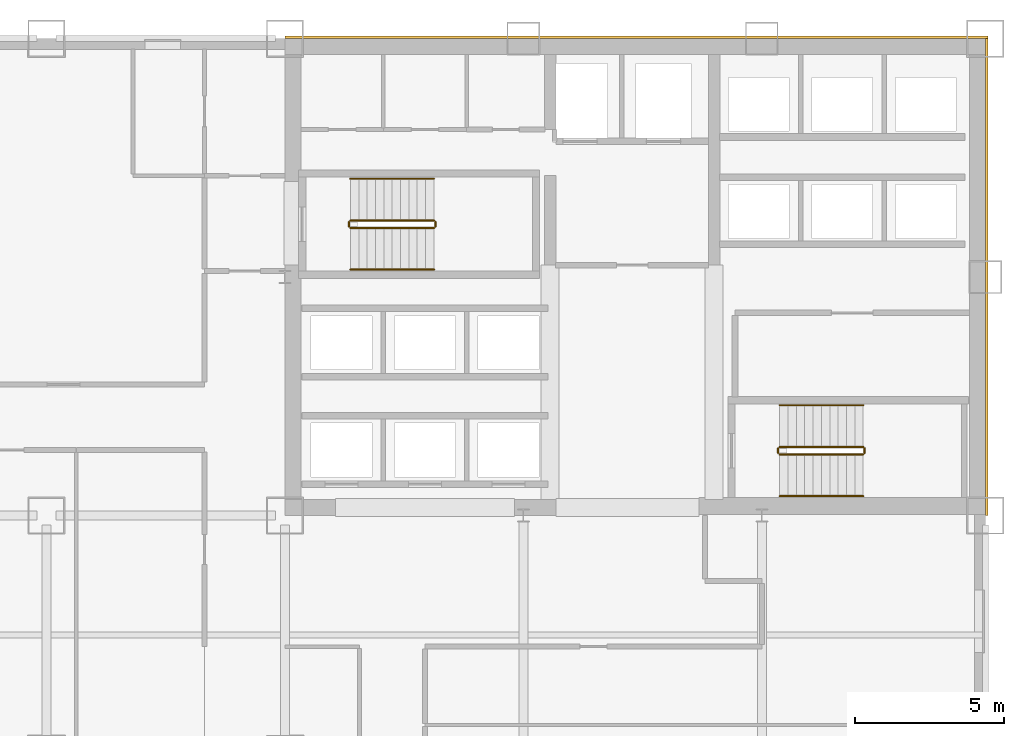
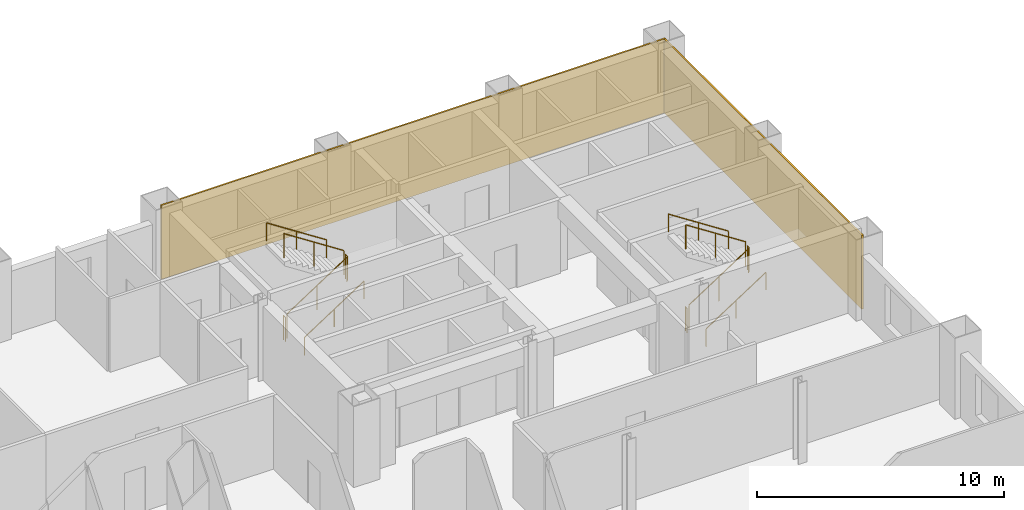
# One storey, part 9 of 9: 12 railings, 2 coverings.
"""IFC4 building model written with IfcOpenShell, lengths in metres."""

import ifcopenshell
import ifcopenshell.guid

model = None  # the IFC model being written
_history = None  # IfcOwnerHistory: only IFC2X3 demands one
_inside = {}  # id of a spatial element -> (the spatial element, [elements in it])
_under = {}  # id of a project, library or spatial element -> (it, [spatial elements below it])
_declared = {}  # id of a project -> (the project, [libraries it declares])
_typed = {}  # id of a type object -> (the type object, [elements of that type])
_made_of = {}  # id of a material, layer set ... -> (it, [elements and type objects made of it])


def new_model(schema):
    """Start an empty IFC model of exactly this schema.

    Asked for "IFC4X3", IfcOpenShell would pick the latest addendum, in which some entities
    have other attributes; the version numbers below select the first issue.
    IFC2X3 requires an IfcOwnerHistory on every rooted entity: one is made here for all.
    """
    global model, _history
    if schema == "IFC4X3":
        model = ifcopenshell.file(schema_version=(4, 3, 0, 0))
    else:
        model = ifcopenshell.file(schema=schema)
    _inside.clear()
    _under.clear()
    _declared.clear()
    _typed.clear()
    _made_of.clear()
    _history = None
    if model.schema == "IFC2X3":
        org = make("IfcOrganization", Name="unknown")
        user = make(
            "IfcPersonAndOrganization",
            ThePerson=make("IfcPerson", FamilyName="unknown"),
            TheOrganization=org,
        )
        app = make(
            "IfcApplication",
            ApplicationDeveloper=org,
            Version="unknown",
            ApplicationFullName="unknown",
            ApplicationIdentifier="unknown",
        )
        _history = make(
            "IfcOwnerHistory",
            OwningUser=user,
            OwningApplication=app,
            ChangeAction="ADDED",
            CreationDate=0,
        )
    return model


def make(cls, **values):
    """One entity of the class cls with the attributes given. An attribute that is None is left unset."""
    return model.create_entity(
        cls, **{name: value for name, value in values.items() if value is not None}
    )


def rooted(cls, **values):
    """An entity with a GlobalId (a new one), such as an element, a storey or a relation."""
    return make(cls, GlobalId=ifcopenshell.guid.new(), OwnerHistory=_history, **values)


def si_unit(unit_type, name, prefix=None):
    """IfcSIUnit, for example si_unit("LENGTHUNIT", "METRE", prefix="MILLI")."""
    return make("IfcSIUnit", UnitType=unit_type, Prefix=prefix, Name=name)


def assignment(units):
    """IfcUnitAssignment: the units of a project."""
    return None if units is None else make("IfcUnitAssignment", Units=units)


def point(xyz):
    """IfcCartesianPoint."""
    return None if xyz is None else make("IfcCartesianPoint", Coordinates=xyz)


def direction(xyz):
    """IfcDirection."""
    return None if xyz is None else make("IfcDirection", DirectionRatios=xyz)


def frame(location, z_axis=None, x_axis=None):
    """IfcAxis2Placement3D, a coordinate frame: its origin and axes. An axis left out is left unset."""
    return make(
        "IfcAxis2Placement3D",
        Location=point(location),
        Axis=direction(z_axis),
        RefDirection=direction(x_axis),
    )


def frame_2d(location, x_axis=None):
    """IfcAxis2Placement2D, a coordinate frame in the plane: its origin and x axis."""
    return make(
        "IfcAxis2Placement2D", Location=point(location), RefDirection=direction(x_axis)
    )


def origin():
    """The frame at (0, 0, 0) with its axes left unset."""
    return frame((0.0, 0.0, 0.0))


def origin_2d():
    """The frame at (0, 0) in the plane with its x axis left unset."""
    return frame_2d((0.0, 0.0))


def place(relative_to, where):
    """IfcLocalPlacement: puts the frame where relative to a parent placement (None: the world)."""
    return make(
        "IfcLocalPlacement", PlacementRelTo=relative_to, RelativePlacement=where
    )


def context(
    kind, dimensions, precision=None, world=None, true_north=None, identifier=None
):
    """IfcGeometricRepresentationContext, for example the 3D "Model" context."""
    return make(
        "IfcGeometricRepresentationContext",
        ContextIdentifier=identifier,
        ContextType=kind,
        CoordinateSpaceDimension=dimensions,
        Precision=precision,
        WorldCoordinateSystem=world,
        TrueNorth=true_north,
    )


def subcontext(parent, identifier, kind, view, scale=None):
    """IfcGeometricRepresentationSubContext, for example "Body" below "Model"."""
    return make(
        "IfcGeometricRepresentationSubContext",
        ContextIdentifier=identifier,
        ContextType=kind,
        ParentContext=parent,
        TargetScale=scale,
        TargetView=view,
    )


def project(units=None, contexts=None):
    """IfcProject with its units and contexts."""
    return rooted(
        "IfcProject",
        Name="project",
        RepresentationContexts=contexts,
        UnitsInContext=assignment(units),
    )


def spatial(cls, under=None, at=None, **own):
    """A site, building, storey or space (cls), placed at a placement, below another one or the project."""
    s = rooted(cls, ObjectPlacement=at, **own)
    if under is not None:
        _under.setdefault(under.id(), (under, []))[1].append(s)
    return s


def profile(cls, at=None, kind="AREA", **sizes):
    """A parametric profile (cls). Its sizes go by their IFC names, for example OverallWidth=200.0."""
    return make(cls, ProfileType=kind, Position=at, **sizes)


def rectangle(**sizes):
    """IfcRectangleProfileDef."""
    return profile("IfcRectangleProfileDef", **sizes)


def circle(**sizes):
    """IfcCircleProfileDef."""
    return profile("IfcCircleProfileDef", **sizes)


def extrude(swept, where, along, depth):
    """IfcExtrudedAreaSolid: the profile swept, set in the frame where, extruded along a direction by depth."""
    return make(
        "IfcExtrudedAreaSolid",
        SweptArea=swept,
        Position=where,
        ExtrudedDirection=direction(along),
        Depth=depth,
    )


def shape(context_of_items, identifier, shape_type, items):
    """IfcShapeRepresentation: the items that make up one representation, for example the "Body"."""
    return make(
        "IfcShapeRepresentation",
        ContextOfItems=context_of_items,
        RepresentationIdentifier=identifier,
        RepresentationType=shape_type,
        Items=items,
    )


def material(Name=None, Category=None):
    """IfcMaterial."""
    return make("IfcMaterial", Name=Name, Category=Category)


def layer(
    of_material, thickness, ventilated=None, Name=None, Category=None, Priority=None
):
    """IfcMaterialLayer: one layer of a wall or slab, of a material (None: an air gap)."""
    return make(
        "IfcMaterialLayer",
        Material=of_material,
        LayerThickness=thickness,
        IsVentilated=ventilated,
        Name=Name,
        Category=Category,
        Priority=Priority,
    )


def layer_set(layers, Name=None):
    """IfcMaterialLayerSet."""
    return make("IfcMaterialLayerSet", MaterialLayers=layers, LayerSetName=Name)


def made_of(thing, what):
    """Note that an element or type object is made of a material, layer set ...; save() writes the relation."""
    if what is not None:
        _made_of.setdefault(what.id(), (what, []))[1].append(thing)
    return thing


def type_object(cls, material=None, **own):
    """A type object (cls), such as IfcWallType, which elements share."""
    return made_of(rooted(cls, **own), material)


def element(
    cls,
    number,
    at=None,
    inside=None,
    cuts=None,
    type_object=None,
    material=None,
    context=None,
    identifier="Body",
    shape_type=None,
    held_by="IfcProductDefinitionShape",
    body=None,
    shapes=None,
    **own,
):
    """One element of the class cls, such as IfcWall. Its Tag is "e" and its number.

    at: its placement. inside: the storey or other place that contains it. cuts: it is an
    opening in that element (IfcRelVoidsElement). A single representation is given by context,
    identifier, shape_type and body (its items); several are given by shapes. held_by: the class
    of the entity that holds the representations. save() writes the other relations.
    """
    e = rooted(cls, Tag="e%d" % number, ObjectPlacement=at, **own)
    if body is not None:
        shapes = [shape(context, identifier, shape_type, body)]
    if shapes is not None:
        e.Representation = make(held_by, Representations=shapes)
    if inside is not None:
        _inside.setdefault(inside.id(), (inside, []))[1].append(e)
    if cuts is not None:
        rooted(
            "IfcRelVoidsElement", RelatingBuildingElement=cuts, RelatedOpeningElement=e
        )
    if type_object is not None:
        _typed.setdefault(type_object.id(), (type_object, []))[1].append(e)
    return made_of(e, material)


def aggregate(whole, parts):
    """IfcRelAggregates: a whole, such as a stair, and the parts it consists of."""
    return rooted("IfcRelAggregates", RelatingObject=whole, RelatedObjects=parts)


def save(model, path):
    """Write the relations noted so far, then the file.

    IfcRelAggregates (storeys below a building ...), IfcRelContainedInSpatialStructure (elements
    in a storey), IfcRelDefinesByType, IfcRelAssociatesMaterial and IfcRelDeclares: one each for
    every whole, place, type object, material and project.
    """
    for whole, parts in _under.values():
        aggregate(whole, parts)
    for where, things in _inside.values():
        rooted(
            "IfcRelContainedInSpatialStructure",
            RelatedElements=things,
            RelatingStructure=where,
        )
    for kind, things in _typed.values():
        rooted("IfcRelDefinesByType", RelatedObjects=things, RelatingType=kind)
    for what, things in _made_of.values():
        rooted("IfcRelAssociatesMaterial", RelatedObjects=things, RelatingMaterial=what)
    for by, libraries in _declared.values():
        rooted("IfcRelDeclares", RelatingContext=by, RelatedDefinitions=libraries)
    model.write(path)


model = new_model("IFC4")

# Units and contexts
model_context = context("Model", 3, precision=1e-05, world=origin(), true_north=direction((0.0, 1.0)))
body_context = subcontext(model_context, "Body", "Model", "MODEL_VIEW")
ifc_project = project(units=[si_unit("LENGTHUNIT", "METRE"), si_unit("AREAUNIT", "SQUARE_METRE"), si_unit("VOLUMEUNIT", "CUBIC_METRE"), si_unit("PLANEANGLEUNIT", "RADIAN"), si_unit("MASSUNIT", "GRAM", prefix="KILO")], contexts=[model_context])

# Site, building, storey
site_placement = place(None, origin())
site = spatial("IfcSite", under=ifc_project, at=site_placement, CompositionType="ELEMENT")
building_placement = place(site_placement, origin())
building = spatial("IfcBuilding", under=site, at=building_placement, Name="Qianrong Seaharbour Tower", CompositionType="ELEMENT")
storey_placement = place(building_placement, frame((0.0, 0.0, 104.199951171875)))
storey = spatial("IfcBuildingStorey", under=building, at=storey_placement, Name="L25", CompositionType="ELEMENT", Elevation=104.199951171875)

# Coverings
ifc_material_1 = material(Name="Unitised red brick cladding on Precast concrete C45/55", Category="masonry")
ifc_layer = layer(ifc_material_1, 0.080078125)
ifc_layer_set = layer_set([ifc_layer], Name="Unitised red brick cladding on Precast concrete C45/55")
covering_type = type_object("IfcCoveringType", Name="COV-CLAD-RED-BRICK-80", PredefinedType="CLADDING", material=ifc_layer_set)
covering_1_placement = place(storey_placement, frame((52.2900390625, 52.0400390625, 0.0), z_axis=(0.0, 0.0, 1.0), x_axis=(1.0, 0.0, 0.0)))
element("IfcCovering", 1, at=covering_1_placement, inside=storey, type_object=covering_type, Name="L25 North Core Brick Veneer Cladding", PredefinedType="CLADDING", context=body_context, shape_type="SweptSolid", body=[
    extrude(rectangle(XDim=23.580078125, YDim=0.080078125, at=origin_2d()), origin(), (0.0, 0.0, 1.0), 3.64990234375),
])
covering_2_placement = place(storey_placement, frame((64.0400390625, 44.0, 0.0), z_axis=(0.0, 0.0, 1.0), x_axis=(1.0, 0.0, 0.0)))
element("IfcCovering", 2, at=covering_2_placement, inside=storey, type_object=covering_type, Name="L25 East Core Brick Veneer Cladding", PredefinedType="CLADDING", context=body_context, shape_type="SweptSolid", body=[
    extrude(rectangle(XDim=0.080078125, YDim=16.0, at=origin_2d()), origin(), (0.0, 0.0, 1.0), 3.64990234375),
])

# Railings
ifc_material_2 = material(Name="Galvanized painted steel SN400B stair guard", Category="steel")
railing_type_1 = type_object("IfcRailingType", Name="RAIL-STAIR-GUARD-1220", PredefinedType="GUARDRAIL", material=ifc_material_2)
railing_1_placement = place(storey_placement, frame((42.699951171875, 45.64990234375, 0.181884765625)))
element("IfcRailing", 3, at=railing_1_placement, inside=storey, type_object=railing_type_1, Name="L25 ST-1 stair guard 1", PredefinedType="GUARDRAIL", context=body_context, shape_type="SweptSolid", body=[
    extrude(circle(Radius=0.02392578125, at=origin_2d()), frame((0.0, 0.0, 1.19580078125), z_axis=(0.838705829183, 0.0, 0.544584733623), x_axis=(0.0, 1.0, 0.0)), (0.0, 0.0, 1.0), 3.338623046875),
    extrude(circle(Radius=0.02099609375, at=origin_2d()), origin(), (0.0, 0.0, 1.0), 1.171875),
    extrude(circle(Radius=0.02099609375, at=origin_2d()), frame((1.39990234375, 0.0, 0.9091796875)), (0.0, 0.0, 1.0), 1.171875),
    extrude(circle(Radius=0.02099609375, at=origin_2d()), frame((2.800048828125, 0.0, 1.818115234375)), (0.0, 0.0, 1.0), 1.171875),
])
railing_2_placement = place(storey_placement, frame((45.550048828125, 45.699951171875, 2.0)))
element("IfcRailing", 4, at=railing_2_placement, inside=storey, type_object=railing_type_1, Name="L25 ST-1 stair guard 2", PredefinedType="GUARDRAIL", context=body_context, shape_type="SweptSolid", body=[
    extrude(circle(Radius=0.02392578125, at=origin_2d()), frame((0.0, 0.0, 1.19580078125), z_axis=(0.0, 1.0, 0.0), x_axis=(-1.0, 0.0, 0.0)), (0.0, 0.0, 1.0), 0.150146484375),
    extrude(circle(Radius=0.02099609375, at=origin_2d()), origin(), (0.0, 0.0, 1.0), 1.171875),
    extrude(circle(Radius=0.02099609375, at=origin_2d()), frame((0.0, 0.150146484375, 0.0)), (0.0, 0.0, 1.0), 1.171875),
])
railing_3_placement = place(storey_placement, frame((45.5, 45.89990234375, 2.181884765625)))
element("IfcRailing", 5, at=railing_3_placement, inside=storey, type_object=railing_type_1, Name="L25 ST-1 stair guard 3", PredefinedType="GUARDRAIL", context=body_context, shape_type="SweptSolid", body=[
    extrude(circle(Radius=0.02392578125, at=origin_2d()), frame((0.0, 0.0, 1.19580078125), z_axis=(-0.838705829183, 0.0, 0.544584733623), x_axis=(0.0, -1.0, 0.0)), (0.0, 0.0, 1.0), 3.338623046875),
    extrude(circle(Radius=0.02099609375, at=origin_2d()), origin(), (0.0, 0.0, 1.0), 1.171875),
    extrude(circle(Radius=0.02099609375, at=origin_2d()), frame((-1.39990234375, 0.0, 0.9091796875)), (0.0, 0.0, 1.0), 1.171875),
    extrude(circle(Radius=0.02099609375, at=origin_2d()), frame((-2.800048828125, 0.0, 1.818115234375)), (0.0, 0.0, 1.0), 1.171875),
])
railing_4_placement = place(storey_placement, frame((42.64990234375, 45.699951171875, 0.0)))
element("IfcRailing", 6, at=railing_4_placement, inside=storey, type_object=railing_type_1, Name="L25 ST-1 stair guard 4", PredefinedType="GUARDRAIL", context=body_context, shape_type="SweptSolid", body=[
    extrude(circle(Radius=0.02392578125, at=origin_2d()), frame((0.0, 0.0, 1.19580078125), z_axis=(0.0, 1.0, 0.0), x_axis=(-1.0, 0.0, 0.0)), (0.0, 0.0, 1.0), 0.150146484375),
    extrude(circle(Radius=0.02099609375, at=origin_2d()), origin(), (0.0, 0.0, 1.0), 1.171875),
    extrude(circle(Radius=0.02099609375, at=origin_2d()), frame((0.0, 0.150146484375, 0.0)), (0.0, 0.0, 1.0), 1.171875),
])
railing_5_placement = place(storey_placement, frame((57.10009765625, 38.050048828125, 0.181884765625)))
element("IfcRailing", 7, at=railing_5_placement, inside=storey, type_object=railing_type_1, Name="L25 ST-2 stair guard 1", PredefinedType="GUARDRAIL", context=body_context, shape_type="SweptSolid", body=[
    extrude(circle(Radius=0.02392578125, at=origin_2d()), frame((0.0, 0.0, 1.19580078125), z_axis=(0.83868413941, 0.0, 0.544618136222), x_axis=(0.0, 1.0, 0.0)), (0.0, 0.0, 1.0), 3.33837890625),
    extrude(circle(Radius=0.02099609375, at=origin_2d()), origin(), (0.0, 0.0, 1.0), 1.171875),
    extrude(circle(Radius=0.02099609375, at=origin_2d()), frame((1.39990234375, 0.0, 0.9091796875)), (0.0, 0.0, 1.0), 1.171875),
    extrude(circle(Radius=0.02099609375, at=origin_2d()), frame((2.7998046875, 0.0, 1.818115234375)), (0.0, 0.0, 1.0), 1.171875),
])
railing_6_placement = place(storey_placement, frame((59.949951171875, 38.10009765625, 2.0)))
element("IfcRailing", 8, at=railing_6_placement, inside=storey, type_object=railing_type_1, Name="L25 ST-2 stair guard 2", PredefinedType="GUARDRAIL", context=body_context, shape_type="SweptSolid", body=[
    extrude(circle(Radius=0.02392578125, at=origin_2d()), frame((0.0, 0.0, 1.19580078125), z_axis=(0.0, 1.0, 0.0), x_axis=(-1.0, 0.0, 0.0)), (0.0, 0.0, 1.0), 0.14990234375),
    extrude(circle(Radius=0.02099609375, at=origin_2d()), origin(), (0.0, 0.0, 1.0), 1.171875),
    extrude(circle(Radius=0.02099609375, at=origin_2d()), frame((0.0, 0.14990234375, 0.0)), (0.0, 0.0, 1.0), 1.171875),
])
railing_7_placement = place(storey_placement, frame((59.89990234375, 38.300048828125, 2.181884765625)))
element("IfcRailing", 9, at=railing_7_placement, inside=storey, type_object=railing_type_1, Name="L25 ST-2 stair guard 3", PredefinedType="GUARDRAIL", context=body_context, shape_type="SweptSolid", body=[
    extrude(circle(Radius=0.02392578125, at=origin_2d()), frame((0.0, 0.0, 1.19580078125), z_axis=(-0.83868413941, 0.0, 0.544618136222), x_axis=(0.0, -1.0, 0.0)), (0.0, 0.0, 1.0), 3.33837890625),
    extrude(circle(Radius=0.02099609375, at=origin_2d()), origin(), (0.0, 0.0, 1.0), 1.171875),
    extrude(circle(Radius=0.02099609375, at=origin_2d()), frame((-1.39990234375, 0.0, 0.9091796875)), (0.0, 0.0, 1.0), 1.171875),
    extrude(circle(Radius=0.02099609375, at=origin_2d()), frame((-2.7998046875, 0.0, 1.818115234375)), (0.0, 0.0, 1.0), 1.171875),
])
railing_8_placement = place(storey_placement, frame((57.050048828125, 38.10009765625, 0.0)))
element("IfcRailing", 10, at=railing_8_placement, inside=storey, type_object=railing_type_1, Name="L25 ST-2 stair guard 4", PredefinedType="GUARDRAIL", context=body_context, shape_type="SweptSolid", body=[
    extrude(circle(Radius=0.02392578125, at=origin_2d()), frame((0.0, 0.0, 1.19580078125), z_axis=(0.0, 1.0, 0.0), x_axis=(-1.0, 0.0, 0.0)), (0.0, 0.0, 1.0), 0.14990234375),
    extrude(circle(Radius=0.02099609375, at=origin_2d()), origin(), (0.0, 0.0, 1.0), 1.171875),
    extrude(circle(Radius=0.02099609375, at=origin_2d()), frame((0.0, 0.14990234375, 0.0)), (0.0, 0.0, 1.0), 1.171875),
])
ifc_material_3 = material(Name="Stainless steel SUS316L continuous handrail", Category="steel")
railing_type_2 = type_object("IfcRailingType", Name="RAIL-STAIR-HANDRAIL-900", PredefinedType="HANDRAIL", material=ifc_material_3)
railing_9_placement = place(storey_placement, frame((42.699951171875, 44.25, 0.181884765625)))
element("IfcRailing", 11, at=railing_9_placement, inside=storey, type_object=railing_type_2, Name="L25 ST-1 stair handrail 1", PredefinedType="HANDRAIL", context=body_context, shape_type="SweptSolid", body=[
    extrude(circle(Radius=0.02392578125, at=origin_2d()), frame((0.0, 0.0, 0.8759765625), z_axis=(0.838705829183, 0.0, 0.544584733623), x_axis=(0.0, 1.0, 0.0)), (0.0, 0.0, 1.0), 3.338623046875),
    extrude(circle(Radius=0.02099609375, at=origin_2d()), origin(), (0.0, 0.0, 1.0), 0.851806640625),
    extrude(circle(Radius=0.02099609375, at=origin_2d()), frame((1.39990234375, 0.0, 0.9091796875)), (0.0, 0.0, 1.0), 0.851806640625),
    extrude(circle(Radius=0.02099609375, at=origin_2d()), frame((2.800048828125, 0.0, 1.818115234375)), (0.0, 0.0, 1.0), 0.851806640625),
])
railing_10_placement = place(storey_placement, frame((45.5, 47.300048828125, 2.181884765625)))
element("IfcRailing", 12, at=railing_10_placement, inside=storey, type_object=railing_type_2, Name="L25 ST-1 stair handrail 2", PredefinedType="HANDRAIL", context=body_context, shape_type="SweptSolid", body=[
    extrude(circle(Radius=0.02392578125, at=origin_2d()), frame((0.0, 0.0, 0.8759765625), z_axis=(-0.838705829183, 0.0, 0.544584733623), x_axis=(0.0, -1.0, 0.0)), (0.0, 0.0, 1.0), 3.338623046875),
    extrude(circle(Radius=0.02099609375, at=origin_2d()), origin(), (0.0, 0.0, 1.0), 0.851806640625),
    extrude(circle(Radius=0.02099609375, at=origin_2d()), frame((-1.39990234375, 0.0, 0.9091796875)), (0.0, 0.0, 1.0), 0.851806640625),
    extrude(circle(Radius=0.02099609375, at=origin_2d()), frame((-2.800048828125, 0.0, 1.818115234375)), (0.0, 0.0, 1.0), 0.851806640625),
])
railing_11_placement = place(storey_placement, frame((57.10009765625, 36.64990234375, 0.181884765625)))
element("IfcRailing", 13, at=railing_11_placement, inside=storey, type_object=railing_type_2, Name="L25 ST-2 stair handrail 1", PredefinedType="HANDRAIL", context=body_context, shape_type="SweptSolid", body=[
    extrude(circle(Radius=0.02392578125, at=origin_2d()), frame((0.0, 0.0, 0.8759765625), z_axis=(0.83868413941, 0.0, 0.544618136222), x_axis=(0.0, 1.0, 0.0)), (0.0, 0.0, 1.0), 3.33837890625),
    extrude(circle(Radius=0.02099609375, at=origin_2d()), origin(), (0.0, 0.0, 1.0), 0.851806640625),
    extrude(circle(Radius=0.02099609375, at=origin_2d()), frame((1.39990234375, 0.0, 0.9091796875)), (0.0, 0.0, 1.0), 0.851806640625),
    extrude(circle(Radius=0.02099609375, at=origin_2d()), frame((2.7998046875, 0.0, 1.818115234375)), (0.0, 0.0, 1.0), 0.851806640625),
])
railing_12_placement = place(storey_placement, frame((59.89990234375, 39.699951171875, 2.181884765625)))
element("IfcRailing", 14, at=railing_12_placement, inside=storey, type_object=railing_type_2, Name="L25 ST-2 stair handrail 2", PredefinedType="HANDRAIL", context=body_context, shape_type="SweptSolid", body=[
    extrude(circle(Radius=0.02392578125, at=origin_2d()), frame((0.0, 0.0, 0.8759765625), z_axis=(-0.83868413941, 0.0, 0.544618136222), x_axis=(0.0, -1.0, 0.0)), (0.0, 0.0, 1.0), 3.33837890625),
    extrude(circle(Radius=0.02099609375, at=origin_2d()), origin(), (0.0, 0.0, 1.0), 0.851806640625),
    extrude(circle(Radius=0.02099609375, at=origin_2d()), frame((-1.39990234375, 0.0, 0.9091796875)), (0.0, 0.0, 1.0), 0.851806640625),
    extrude(circle(Radius=0.02099609375, at=origin_2d()), frame((-2.7998046875, 0.0, 1.818115234375)), (0.0, 0.0, 1.0), 0.851806640625),
])

save(model, "model.ifc")
